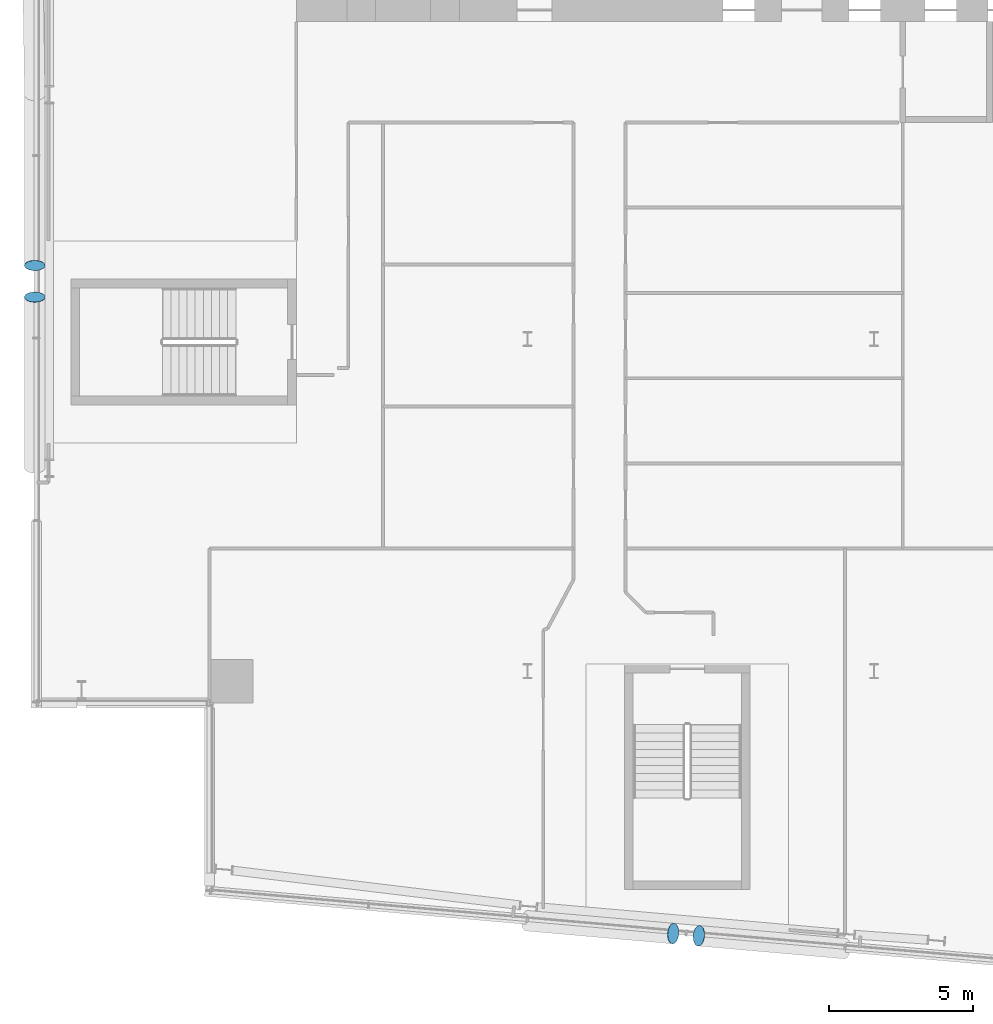
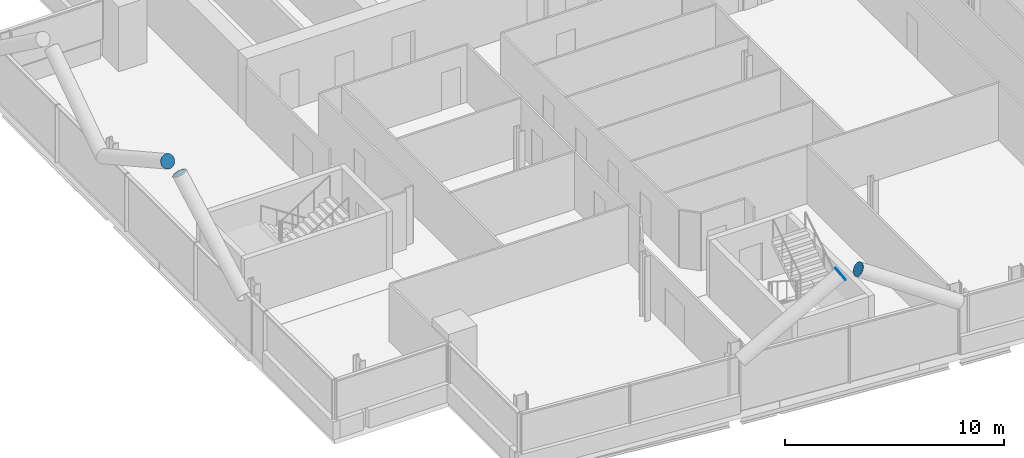
# One storey, part 21 of 26: 4 discrete accessories.
"""IFC4 building model written with IfcOpenShell, lengths in metres."""

from ifc_helpers import new_model, si_unit, direction, frame, origin, origin_2d, place, context, subcontext, project, spatial, circle, extrude, material, material_profile, profile_set, type_object, element, save


model = new_model("IFC4")

# Units and contexts
model_context = context("Model", 3, precision=1e-05, world=origin(), true_north=direction((0.0, 1.0)))
body_context = subcontext(model_context, "Body", "Model", "MODEL_VIEW")
ifc_project = project(units=[si_unit("LENGTHUNIT", "METRE"), si_unit("AREAUNIT", "SQUARE_METRE"), si_unit("VOLUMEUNIT", "CUBIC_METRE"), si_unit("PLANEANGLEUNIT", "RADIAN"), si_unit("MASSUNIT", "GRAM", prefix="KILO")], contexts=[model_context])

# Site, building, storey
site_placement = place(None, origin())
site = spatial("IfcSite", under=ifc_project, at=site_placement, CompositionType="ELEMENT")
building_placement = place(site_placement, origin())
building = spatial("IfcBuilding", under=site, at=building_placement, Name="Wharfspan Tower", CompositionType="ELEMENT")
storey_placement = place(building_placement, frame((0.0, 0.0, 169.899902)))
storey = spatial("IfcBuildingStorey", under=building, at=storey_placement, Name="L41", CompositionType="ELEMENT", Elevation=169.899902)

# Discrete accessories
ifc_material = material(Name="Steel S460NH", Category="steel")
ifc_material_profile = material_profile(ifc_material, circle(Radius=0.355469, at=origin_2d()))
ifc_profile_set = profile_set([ifc_material_profile], Name="Steel S460NH")
discrete_accessory_type = type_object("IfcDiscreteAccessoryType", Name="End plate CHS 711x36", PredefinedType="BRACKET", material=ifc_profile_set)
for number, where, z_axis, x_axis, name in (
    (1, (29.043213, 2.41626, 6.204346), (0.844416, -0.072379, 0.530776), (0.085402, 0.99635, 0.0), "End plate CHS 711x36"),
    (2, (29.947021, 2.337158, 6.204346), (-0.837276, 0.073877, 0.541767), (-0.087893, -0.996132, 1e-06), "End plate CHS 711x36"),
    (3, (6.945068, 25.554443, 6.191406), (0.0, -0.874157, 0.485643), (1.0, 0.0, 0.0), "End plate CHS 711x36"),
    (4, (6.945068, 24.445557, 6.191406), (0.0, 0.874157, 0.485643), (-1.0, 0.0, 0.0), "End plate CHS 711x36"),
):
    element("IfcDiscreteAccessory", number, at=place(storey_placement, frame(where, z_axis=z_axis, x_axis=x_axis)), inside=storey, type_object=discrete_accessory_type, Name=name, PredefinedType="BRACKET", context=body_context, shape_type="SweptSolid", body=[
        extrude(circle(Radius=0.355469, at=origin_2d()), origin(), (0.0, 0.0, 1.0), 0.01001),
    ])

save(model, "model.ifc")
